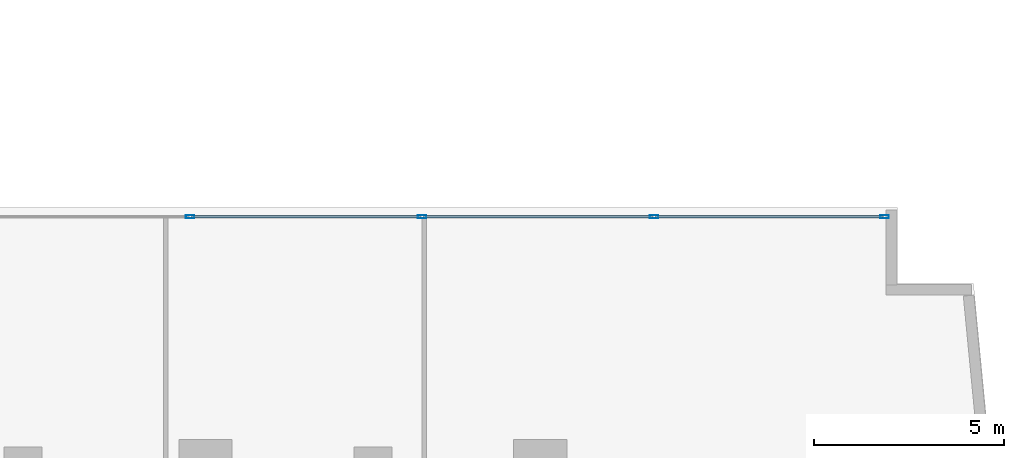
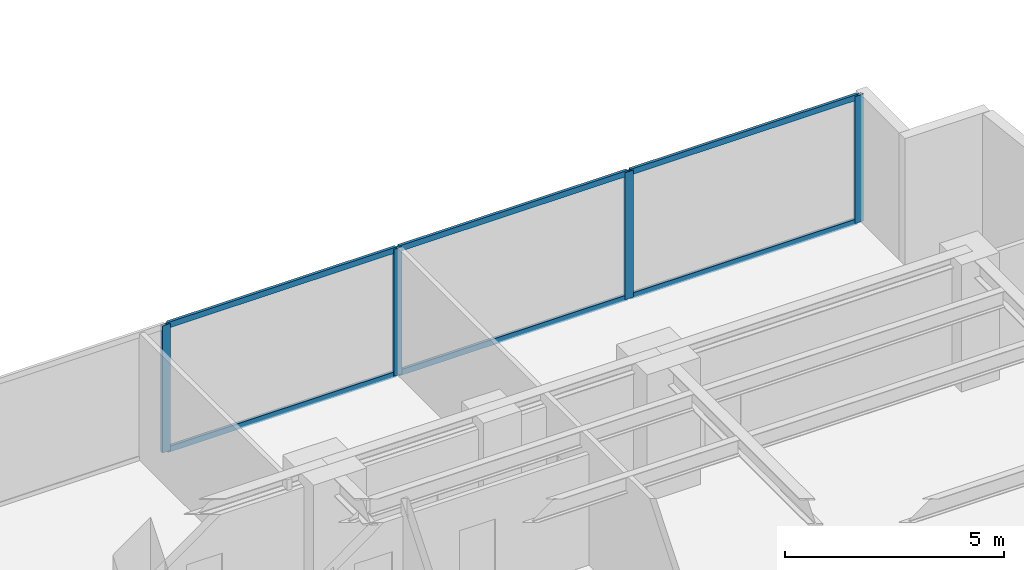
# One storey, part 13 of 26: 10 members, 1 element without a shape of its own.
"""IFC4 building model written with IfcOpenShell, lengths in metres."""

from ifc_helpers import new_model, si_unit, direction, frame, origin, origin_with_axes, origin_2d, place, context, subcontext, project, spatial, hollow_rectangle, extrude, source, transform, mapped, material, layer, layer_set, material_profile, profile_set, type_object, element, aggregate, save


model = new_model("IFC4")

# Units and contexts
model_context = context("Model", 3, precision=1e-05, world=origin(), true_north=direction((0.0, 1.0)))
body_context = subcontext(model_context, "Body", "Model", "MODEL_VIEW")
ifc_project = project(units=[si_unit("LENGTHUNIT", "METRE"), si_unit("AREAUNIT", "SQUARE_METRE"), si_unit("VOLUMEUNIT", "CUBIC_METRE"), si_unit("PLANEANGLEUNIT", "RADIAN"), si_unit("MASSUNIT", "GRAM", prefix="KILO")], contexts=[model_context])

# Site, building, storey
site_placement = place(None, origin())
site = spatial("IfcSite", under=ifc_project, at=site_placement, CompositionType="ELEMENT")
building_placement = place(site_placement, origin())
building = spatial("IfcBuilding", under=site, at=building_placement, Name="Kolvaren Waterfront Exchange", CompositionType="ELEMENT")
storey_placement = place(building_placement, frame((0.0, 0.0, 125.89990234375)))
storey = spatial("IfcBuildingStorey", under=building, at=storey_placement, Name="L32", CompositionType="ELEMENT", Elevation=125.89990234375)

# Curtain wall, members
ifc_material_1 = material(Name="Anodised bronze aluminium 6063-T6", Category="aluminium")
ifc_layer = layer(ifc_material_1, 0.219970703125, Name="Anodised bronze aluminium 6063-T6")
ifc_layer_set = layer_set([ifc_layer], Name="Anodised bronze aluminium 6063-T6")
curtain_wall_type = type_object("IfcCurtainWallType", Name="ARC-CW-SYS1", PredefinedType="USERDEFINED", material=ifc_layer_set)
curtain_wall_placement = place(storey_placement, origin())
curtain_wall = element("IfcCurtainWall", 1, at=curtain_wall_placement, inside=storey, type_object=curtain_wall_type, Name="L32 stick curtain wall CW1 (CW-L32-EN)", ObjectType="STICK CURTAIN WALL", PredefinedType="USERDEFINED")
ifc_material_2 = material(Name="Anodised aluminium 6063-T6", Category="aluminium")
ifc_material_profile_1 = material_profile(ifc_material_2, hollow_rectangle(XDim=0.080078125, YDim=0.219970703125, WallThickness=0.0048828125, at=origin_2d()), Name="ALU-MUL-220x80x5")
ifc_profile_set_1 = profile_set([ifc_material_profile_1], Name="Anodised aluminium 6063-T6")
member_type_1 = type_object("IfcMemberType", Name="ARC-CWM-220", PredefinedType="MULLION", material=ifc_profile_set_1)
shared_shape_1 = source(origin_with_axes(), body_context, "Body", "SweptSolid", [
    extrude(hollow_rectangle(XDim=0.080078125, YDim=0.219970703125, WallThickness=0.0048828125, at=origin_2d()), origin(), (0.0, 0.0, 1.0), 3.5400390625),
])
member_1_placement = place(storey_placement, frame((36.392578125, 23.9599609375, 0.0), z_axis=(0.0, 0.0, 1.0), x_axis=(0.0, 1.0, 0.0)))
member_1 = element("IfcMember", 2, at=member_1_placement, type_object=member_type_1, Name="CW1 mullion 2", PredefinedType="MULLION", context=body_context, shape_type="MappedRepresentation", body=[
    mapped(shared_shape_1, transform((0.0, 0.0, 0.0), x_axis=(1.0, 0.0, 0.0), y_axis=(0.0, 1.0, 0.0), z_axis=(0.0, 0.0, 1.0), scale=1.0)),
])
member_2_placement = place(storey_placement, frame((42.4951171875, 23.9599609375, 0.0), z_axis=(0.0, 0.0, 1.0), x_axis=(0.0, 1.0, 0.0)))
member_2 = element("IfcMember", 3, at=member_2_placement, type_object=member_type_1, Name="CW1 mullion 3", PredefinedType="MULLION", context=body_context, shape_type="MappedRepresentation", body=[
    mapped(shared_shape_1, transform((0.0, 0.0, 0.0), x_axis=(1.0, 0.0, 0.0), y_axis=(0.0, 1.0, 0.0), z_axis=(0.0, 0.0, 1.0), scale=1.0)),
])
member_3_placement = place(storey_placement, frame((48.597412109375, 23.9599609375, 0.0), z_axis=(0.0, 0.0, 1.0), x_axis=(0.0, 1.0, 0.0)))
member_3 = element("IfcMember", 4, at=member_3_placement, type_object=member_type_1, Name="CW1 mullion 4", PredefinedType="MULLION", context=body_context, shape_type="MappedRepresentation", body=[
    mapped(shared_shape_1, transform((0.0, 0.0, 0.0), x_axis=(1.0, 0.0, 0.0), y_axis=(0.0, 1.0, 0.0), z_axis=(0.0, 0.0, 1.0), scale=1.0)),
])
member_4_placement = place(storey_placement, frame((54.659912109375, 23.9599609375, 0.0), z_axis=(0.0, 0.0, 1.0), x_axis=(0.0, 1.0, 0.0)))
member_4 = element("IfcMember", 5, at=member_4_placement, type_object=member_type_1, Name="CW1 mullion 5", PredefinedType="MULLION", context=body_context, shape_type="MappedRepresentation", body=[
    mapped(shared_shape_1, transform((0.0, 0.0, 0.0), x_axis=(1.0, 0.0, 0.0), y_axis=(0.0, 1.0, 0.0), z_axis=(0.0, 0.0, 1.0), scale=1.0)),
])
ifc_material_profile_2 = material_profile(ifc_material_2, hollow_rectangle(XDim=0.074951171875, YDim=0.159912109375, WallThickness=0.00439453125, at=origin_2d()), Name="ALU-TRN-160x75x4.5")
ifc_profile_set_2 = profile_set([ifc_material_profile_2], Name="Anodised aluminium 6063-T6")
member_type_2 = type_object("IfcMemberType", Name="ARC-CWT-160", PredefinedType="USERDEFINED", material=ifc_profile_set_2)
shared_shape_2 = source(origin_with_axes(), body_context, "Body", "SweptSolid", [
    extrude(hollow_rectangle(XDim=0.074951171875, YDim=0.159912109375, WallThickness=0.00439453125, at=origin_2d()), origin(), (0.0, 0.0, 1.0), 6.0224609375),
])
member_5_placement = place(storey_placement, frame((36.4326171875, 23.9599609375, 0.03759765625), z_axis=(1.0, 0.0, 0.0), x_axis=(0.0, 1.0, 0.0)))
member_5 = element("IfcMember", 6, at=member_5_placement, type_object=member_type_2, Name="CW1 transom 2.1", ObjectType="TRANSOM", PredefinedType="USERDEFINED", context=body_context, shape_type="MappedRepresentation", body=[
    mapped(shared_shape_2, transform((0.0, 0.0, 0.0), x_axis=(1.0, 0.0, 0.0), y_axis=(0.0, 1.0, 0.0), z_axis=(0.0, 0.0, 1.0), scale=1.0)),
])
member_6_placement = place(storey_placement, frame((36.4326171875, 23.9599609375, 3.502685546875), z_axis=(1.0, 0.0, 0.0), x_axis=(0.0, 1.0, 0.0)))
member_6 = element("IfcMember", 7, at=member_6_placement, type_object=member_type_2, Name="CW1 transom 2.2", ObjectType="TRANSOM", PredefinedType="USERDEFINED", context=body_context, shape_type="MappedRepresentation", body=[
    mapped(shared_shape_2, transform((0.0, 0.0, 0.0), x_axis=(1.0, 0.0, 0.0), y_axis=(0.0, 1.0, 0.0), z_axis=(0.0, 0.0, 1.0), scale=1.0)),
])
shared_shape_3 = source(origin_with_axes(), body_context, "Body", "SweptSolid", [
    extrude(hollow_rectangle(XDim=0.074951171875, YDim=0.159912109375, WallThickness=0.00439453125, at=origin_2d()), origin(), (0.0, 0.0, 1.0), 6.022705078125),
])
member_7_placement = place(storey_placement, frame((42.534912109375, 23.9599609375, 0.03759765625), z_axis=(1.0, 0.0, 0.0), x_axis=(0.0, 1.0, 0.0)))
member_7 = element("IfcMember", 8, at=member_7_placement, type_object=member_type_2, Name="CW1 transom 3.1", ObjectType="TRANSOM", PredefinedType="USERDEFINED", context=body_context, shape_type="MappedRepresentation", body=[
    mapped(shared_shape_3, transform((0.0, 0.0, 0.0), x_axis=(1.0, 0.0, 0.0), y_axis=(0.0, 1.0, 0.0), z_axis=(0.0, 0.0, 1.0), scale=1.0)),
])
member_8_placement = place(storey_placement, frame((42.534912109375, 23.9599609375, 3.502685546875), z_axis=(1.0, 0.0, 0.0), x_axis=(0.0, 1.0, 0.0)))
member_8 = element("IfcMember", 9, at=member_8_placement, type_object=member_type_2, Name="CW1 transom 3.2", ObjectType="TRANSOM", PredefinedType="USERDEFINED", context=body_context, shape_type="MappedRepresentation", body=[
    mapped(shared_shape_3, transform((0.0, 0.0, 0.0), x_axis=(1.0, 0.0, 0.0), y_axis=(0.0, 1.0, 0.0), z_axis=(0.0, 0.0, 1.0), scale=1.0)),
])
shared_shape_4 = source(origin_with_axes(), body_context, "Body", "SweptSolid", [
    extrude(hollow_rectangle(XDim=0.074951171875, YDim=0.159912109375, WallThickness=0.00439453125, at=origin_2d()), origin(), (0.0, 0.0, 1.0), 5.982666015625),
])
member_9_placement = place(storey_placement, frame((48.637451171875, 23.9599609375, 0.03759765625), z_axis=(1.0, 0.0, 0.0), x_axis=(0.0, 1.0, 0.0)))
member_9 = element("IfcMember", 10, at=member_9_placement, type_object=member_type_2, Name="CW1 transom 4.1", ObjectType="TRANSOM", PredefinedType="USERDEFINED", context=body_context, shape_type="MappedRepresentation", body=[
    mapped(shared_shape_4, transform((0.0, 0.0, 0.0), x_axis=(1.0, 0.0, 0.0), y_axis=(0.0, 1.0, 0.0), z_axis=(0.0, 0.0, 1.0), scale=1.0)),
])
member_10_placement = place(storey_placement, frame((48.637451171875, 23.9599609375, 3.502685546875), z_axis=(1.0, 0.0, 0.0), x_axis=(0.0, 1.0, 0.0)))
member_10 = element("IfcMember", 11, at=member_10_placement, type_object=member_type_2, Name="CW1 transom 4.2", ObjectType="TRANSOM", PredefinedType="USERDEFINED", context=body_context, shape_type="MappedRepresentation", body=[
    mapped(shared_shape_4, transform((0.0, 0.0, 0.0), x_axis=(1.0, 0.0, 0.0), y_axis=(0.0, 1.0, 0.0), z_axis=(0.0, 0.0, 1.0), scale=1.0)),
])
aggregate(curtain_wall, [member_1, member_2, member_3, member_4, member_5, member_6, member_7, member_8, member_9, member_10])

save(model, "model.ifc")
